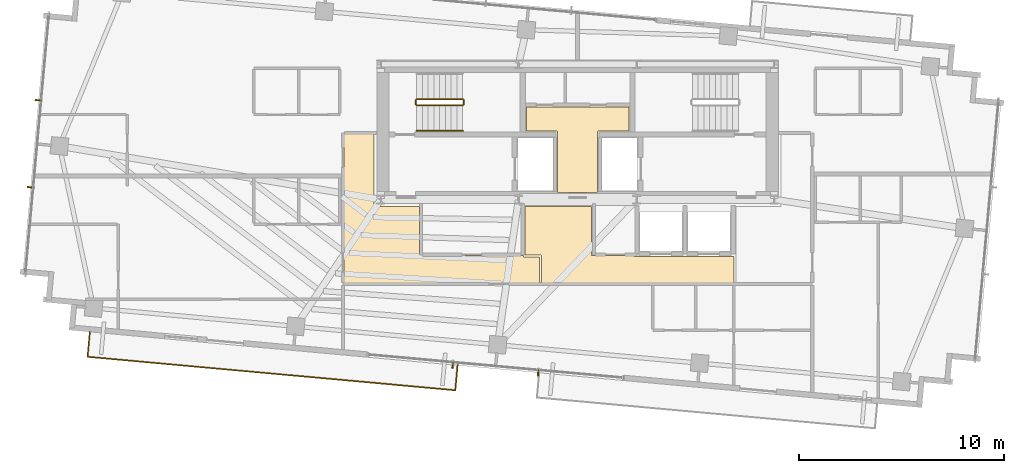
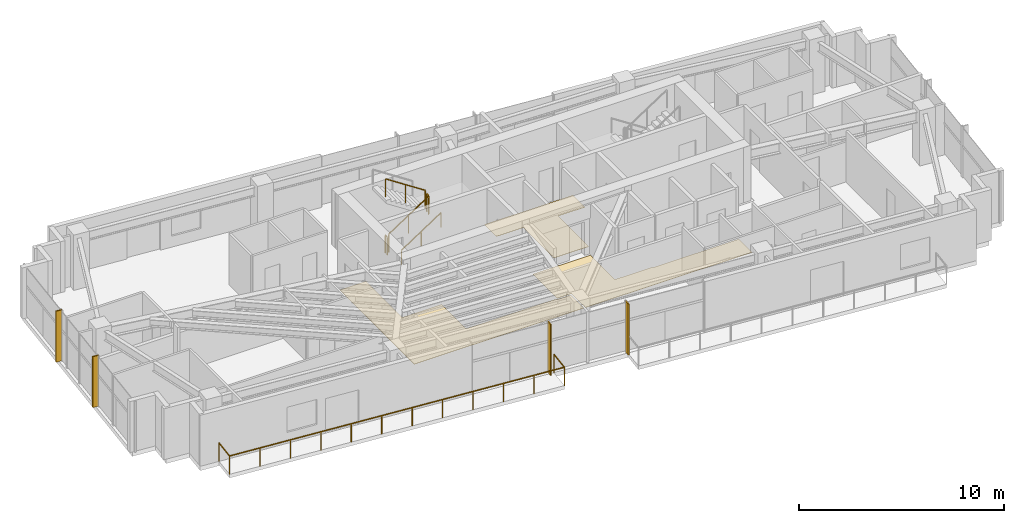
# One storey, part 20 of 22: 6 railings, 4 shading devices, 3 coverings.
"""IFC4 building model written with IfcOpenShell, lengths in metres."""

from ifc_helpers import new_model, si_unit, direction, frame, origin, origin_2d, place, context, subcontext, project, spatial, polyline, rectangle, outline, extrude, source, transform, mapped, material, layer, layer_set, type_object, type_shapes, element, save


model = new_model("IFC4")

# Units and contexts
model_context = context("Model", 3, precision=1e-05, world=origin(), true_north=direction((0.0, 1.0)))
body_context = subcontext(model_context, "Body", "Model", "MODEL_VIEW")
ifc_project = project(units=[si_unit("LENGTHUNIT", "METRE"), si_unit("AREAUNIT", "SQUARE_METRE"), si_unit("VOLUMEUNIT", "CUBIC_METRE"), si_unit("PLANEANGLEUNIT", "RADIAN"), si_unit("MASSUNIT", "GRAM", prefix="KILO")], contexts=[model_context])

# Site, building, storey
site_placement = place(None, origin())
site = spatial("IfcSite", under=ifc_project, at=site_placement, CompositionType="ELEMENT")
building_placement = place(site_placement, origin())
building = spatial("IfcBuilding", under=site, at=building_placement, Name="Astriad Promenade Condominiums", CompositionType="ELEMENT")
storey_placement = place(building_placement, frame((0.0, 0.0, 249.60009765625)))
storey = spatial("IfcBuildingStorey", under=building, at=storey_placement, Name="L72", CompositionType="ELEMENT", Elevation=249.60009765625)

# Coverings
ifc_material_1 = material(Name="Polished Lakefront Terrazzo Flooring")
ifc_layer = layer(ifc_material_1, 0.02001953125)
ifc_layer_set = layer_set([ifc_layer], Name="Polished Lakefront Terrazzo Flooring")
covering_type = type_object("IfcCoveringType", Name="COV-FLOR-TERRAZZO-20", PredefinedType="FLOORING", material=ifc_layer_set)
covering_1_placement = place(storey_placement, origin())
element("IfcCovering", 1, at=covering_1_placement, inside=storey, type_object=covering_type, Name="FLR-L72-CSL", PredefinedType="FLOORING", context=body_context, shape_type="SweptSolid", body=[
    extrude(outline(polyline([(36.97998046875, 20.699951171875), (36.97998046875, 17.739990234375), (35.02001953125, 17.739990234375), (35.02001953125, 20.699951171875), (35.019775390625, 20.703857421875), (35.019287109375, 20.707763671875), (35.018310546875, 20.711669921875), (35.01708984375, 20.71533203125), (35.015380859375, 20.718994140625), (35.01318359375, 20.72216796875), (35.010986328125, 20.725341796875), (35.00830078125, 20.728271484375), (35.00537109375, 20.73095703125), (35.002197265625, 20.7333984375), (34.998779296875, 20.7353515625), (34.995361328125, 20.737060546875), (34.99169921875, 20.73828125), (34.98779296875, 20.7392578125), (34.98388671875, 20.73974609375), (34.97998046875, 20.739990234375), (33.5, 20.739990234375), (33.5, 21.909912109375), (38.5, 21.909912109375), (38.5, 20.739990234375), (37.02001953125, 20.739990234375), (37.01611328125, 20.73974609375), (37.01220703125, 20.7392578125), (37.00830078125, 20.73828125), (37.004638671875, 20.737060546875), (37.001220703125, 20.7353515625), (36.997802734375, 20.7333984375), (36.99462890625, 20.73095703125), (36.99169921875, 20.728271484375), (36.989013671875, 20.725341796875), (36.98681640625, 20.72216796875), (36.984619140625, 20.718994140625), (36.98291015625, 20.71533203125), (36.981689453125, 20.711669921875), (36.980712890625, 20.707763671875), (36.980224609375, 20.703857421875), (36.97998046875, 20.699951171875)])), origin(), (0.0, 0.0, 1.0), 0.02001953125),
])
covering_2_placement = place(storey_placement, origin())
element("IfcCovering", 2, at=covering_2_placement, inside=storey, type_object=covering_type, Name="FLR-L72-LLB", PredefinedType="FLOORING", context=body_context, shape_type="SweptSolid", body=[
    extrude(outline(polyline([(43.639892578125, 14.610107421875), (43.639892578125, 13.320068359375), (34.239990234375, 13.320068359375), (34.239990234375, 14.64990234375), (34.23974609375, 14.65380859375), (34.2392578125, 14.65771484375), (34.23828125, 14.66162109375), (34.237060546875, 14.665283203125), (34.2353515625, 14.6689453125), (34.2333984375, 14.672119140625), (34.23095703125, 14.67529296875), (34.228271484375, 14.67822265625), (34.225341796875, 14.680908203125), (34.22216796875, 14.683349609375), (34.218994140625, 14.685302734375), (34.21533203125, 14.68701171875), (34.211669921875, 14.688232421875), (34.207763671875, 14.689208984375), (34.203857421875, 14.689697265625), (34.199951171875, 14.68994140625), (33.43994140625, 14.68994140625), (33.43994140625, 17.06005859375), (36.679931640625, 17.06005859375), (36.679931640625, 14.699951171875), (36.68017578125, 14.696044921875), (36.680908203125, 14.692138671875), (36.681640625, 14.6884765625), (36.68310546875, 14.684814453125), (36.684814453125, 14.68115234375), (36.686767578125, 14.677734375), (36.689208984375, 14.674560546875), (36.691650390625, 14.671630859375), (36.694580078125, 14.669189453125), (36.69775390625, 14.666748046875), (36.701171875, 14.664794921875), (36.70458984375, 14.6630859375), (36.70849609375, 14.66162109375), (36.712158203125, 14.660888671875), (36.716064453125, 14.66015625), (36.719970703125, 14.659912109375), (38.760009765625, 14.659912109375), (38.760009765625, 14.64990234375), (38.76025390625, 14.64599609375), (38.7607421875, 14.64208984375), (38.76171875, 14.638427734375), (38.762939453125, 14.634765625), (38.7646484375, 14.631103515625), (38.7666015625, 14.627685546875), (38.76904296875, 14.62451171875), (38.771728515625, 14.62158203125), (38.774658203125, 14.619140625), (38.77783203125, 14.61669921875), (38.781005859375, 14.61474609375), (38.78466796875, 14.613037109375), (38.788330078125, 14.61181640625), (38.792236328125, 14.61083984375), (38.796142578125, 14.610107421875), (38.800048828125, 14.610107421875), (43.639892578125, 14.610107421875)])), origin(), (0.0, 0.0, 1.0), 0.02001953125),
])
covering_3_placement = place(storey_placement, origin())
element("IfcCovering", 3, at=covering_3_placement, inside=storey, type_object=covering_type, Name="FLR-L72-COR-1", PredefinedType="FLOORING", context=body_context, shape_type="SweptSolid", body=[
    extrude(outline(polyline([(24.590087890625, 20.610107421875), (26.06005859375, 20.610107421875), (26.06005859375, 17.10009765625), (26.060302734375, 17.09619140625), (26.060791015625, 17.09228515625), (26.061767578125, 17.08837890625), (26.06298828125, 17.084716796875), (26.064697265625, 17.0810546875), (26.066650390625, 17.077880859375), (26.069091796875, 17.07470703125), (26.07177734375, 17.07177734375), (26.07470703125, 17.069091796875), (26.077880859375, 17.066650390625), (26.0810546875, 17.064697265625), (26.084716796875, 17.06298828125), (26.08837890625, 17.061767578125), (26.09228515625, 17.060791015625), (26.09619140625, 17.060302734375), (26.10009765625, 17.06005859375), (28.280029296875, 17.06005859375), (28.280029296875, 14.699951171875), (28.2802734375, 14.696044921875), (28.28076171875, 14.692138671875), (28.28173828125, 14.6884765625), (28.282958984375, 14.684814453125), (28.28466796875, 14.68115234375), (28.28662109375, 14.677734375), (28.2890625, 14.674560546875), (28.291748046875, 14.671630859375), (28.294677734375, 14.669189453125), (28.2978515625, 14.666748046875), (28.301025390625, 14.664794921875), (28.3046875, 14.6630859375), (28.308349609375, 14.66162109375), (28.312255859375, 14.660888671875), (28.316162109375, 14.66015625), (28.320068359375, 14.659912109375), (33.35009765625, 14.659912109375), (33.35009765625, 14.64892578125), (33.35009765625, 14.64501953125), (33.350830078125, 14.64111328125), (33.35107421875, 14.64013671875), (33.351318359375, 14.639404296875), (33.351318359375, 14.638427734375), (33.352294921875, 14.634521484375), (33.353759765625, 14.630859375), (33.3544921875, 14.629150390625), (33.356201171875, 14.6259765625), (33.356689453125, 14.625), (33.35888671875, 14.62158203125), (33.3603515625, 14.61962890625), (33.36083984375, 14.618896484375), (33.361083984375, 14.61865234375), (33.361328125, 14.618408203125), (33.361572265625, 14.617919921875), (33.36328125, 14.615966796875), (33.365966796875, 14.61328125), (33.367919921875, 14.611572265625), (33.368408203125, 14.611328125), (33.36865234375, 14.611083984375), (33.368896484375, 14.61083984375), (33.36962890625, 14.6103515625), (33.37158203125, 14.60888671875), (33.375, 14.606689453125), (33.3759765625, 14.606201171875), (33.379150390625, 14.6044921875), (33.3798828125, 14.604248046875), (33.380859375, 14.603759765625), (33.384521484375, 14.602294921875), (33.388427734375, 14.601318359375), (33.389404296875, 14.601318359375), (33.39013671875, 14.60107421875), (33.39111328125, 14.600830078125), (33.39501953125, 14.60009765625), (33.39892578125, 14.60009765625), (34.14990234375, 14.60009765625), (34.14990234375, 13.320068359375), (24.590087890625, 13.320068359375), (24.590087890625, 20.610107421875)])), origin(), (0.0, 0.0, 1.0), 0.02001953125),
])

# Shading devices
ifc_material_2 = material(Name="Anodised aluminium 6063-T6 Black Fin", Category="aluminium")
shading_device_type = type_object("IfcShadingDeviceType", Name="FIN-BLACK-260", PredefinedType="USERDEFINED", material=ifc_material_2)
shared_shape_1 = source(origin(), body_context, "Body", "SweptSolid", [
    extrude(rectangle(XDim=0.06494140625, YDim=0.320068359375, at=origin_2d()), origin(), (0.0, 0.0, 1.0), 3.0400390625),
])
type_shapes(shading_device_type, [shared_shape_1])
for number, where, z_axis, x_axis, name in (
    (4, (9.293212890625, 17.9970703125, 0.0), (0.0, 0.0, 1.0), (0.090632580198, 0.995884398616, 0.0), "CW-L72-W-FIN-01"),
    (5, (9.6796875, 22.246337890625, 0.0), (0.0, 0.0, 1.0), (0.090632580198, 0.995884398616, 0.0), "CW-L72-W-FIN-02"),
    (6, (34.073974609375, 8.937255859375, 0.0), (0.0, 0.0, 1.0), (-0.995884398616, 0.090632580198, 0.0), "CW-L72-S-FIN-01"),
    (7, (29.9111328125, 9.316162109375, 0.0), (0.0, 0.0, 1.0), (-0.995884398616, 0.090632580198, 0.0), "CW-L72-S-FIN-02"),
):
    element("IfcShadingDevice", number, at=place(storey_placement, frame(where, z_axis=z_axis, x_axis=x_axis)), inside=storey, type_object=shading_device_type, Name=name, ObjectType="FIN", PredefinedType="USERDEFINED", context=body_context, shape_type="MappedRepresentation", body=[
        mapped(shared_shape_1, transform((0.0, 0.0, 0.0), scale=1.0)),
    ])

# Railings
ifc_material_3 = material(Name="Laminated Glass and Stainless Steel Balustrade", Category="steel")
railing_type_1 = type_object("IfcRailingType", Name="GRD-BALC-1120", PredefinedType="BALUSTRADE", material=ifc_material_3)
shared_shape_2 = source(origin(), body_context, "Body", "SweptSolid", [
    extrude(rectangle(XDim=0.048095703125, YDim=0.048095703125, at=origin_2d()), frame((0.0, 0.0, 1.09619140625), z_axis=(-0.090643994769, -0.995883359743, 0.0), x_axis=(0.995883359743, -0.090643994769, 0.0)), (0.0, 0.0, 1.0), 1.22021484375),
    extrude(rectangle(XDim=0.048095703125, YDim=0.048095703125, at=origin_2d()), frame((-0.110595703125, -1.215087890625, 1.09619140625), z_axis=(0.995884986863, -0.090626116217, 0.0), x_axis=(0.090626116217, 0.995884986863, 0.0)), (0.0, 0.0, 1.0), 18.025146484375),
    extrude(rectangle(XDim=0.048095703125, YDim=0.048095703125, at=origin_2d()), frame((17.84033203125, -2.8486328125, 1.09619140625), z_axis=(0.09066206129, 0.995881715186, 0.0), x_axis=(-0.995881715186, 0.09066206129, 0.0)), (0.0, 0.0, 1.0), 1.219970703125),
    extrude(rectangle(XDim=0.0419921875, YDim=0.0419921875, at=origin_2d()), origin(), (0.0, 0.0, 1.0), 1.072021484375),
    extrude(rectangle(XDim=0.0419921875, YDim=0.0419921875, at=origin_2d()), frame((-0.110595703125, -1.215087890625, 0.0)), (0.0, 0.0, 1.0), 1.072021484375),
    extrude(rectangle(XDim=0.0419921875, YDim=0.0419921875, at=origin_2d()), frame((1.521240234375, -1.363525390625, 0.0)), (0.0, 0.0, 1.0), 1.072021484375),
    extrude(rectangle(XDim=0.0419921875, YDim=0.0419921875, at=origin_2d()), frame((3.1533203125, -1.51220703125, 0.0)), (0.0, 0.0, 1.0), 1.072021484375),
    extrude(rectangle(XDim=0.0419921875, YDim=0.0419921875, at=origin_2d()), frame((4.78515625, -1.66064453125, 0.0)), (0.0, 0.0, 1.0), 1.072021484375),
    extrude(rectangle(XDim=0.0419921875, YDim=0.0419921875, at=origin_2d()), frame((6.4169921875, -1.80908203125, 0.0)), (0.0, 0.0, 1.0), 1.072021484375),
    extrude(rectangle(XDim=0.0419921875, YDim=0.0419921875, at=origin_2d()), frame((8.048828125, -1.95751953125, 0.0)), (0.0, 0.0, 1.0), 1.072021484375),
    extrude(rectangle(XDim=0.0419921875, YDim=0.0419921875, at=origin_2d()), frame((9.680908203125, -2.106201171875, 0.0)), (0.0, 0.0, 1.0), 1.072021484375),
    extrude(rectangle(XDim=0.0419921875, YDim=0.0419921875, at=origin_2d()), frame((11.312744140625, -2.254638671875, 0.0)), (0.0, 0.0, 1.0), 1.072021484375),
    extrude(rectangle(XDim=0.0419921875, YDim=0.0419921875, at=origin_2d()), frame((12.944580078125, -2.403076171875, 0.0)), (0.0, 0.0, 1.0), 1.072021484375),
    extrude(rectangle(XDim=0.0419921875, YDim=0.0419921875, at=origin_2d()), frame((14.576416015625, -2.551513671875, 0.0)), (0.0, 0.0, 1.0), 1.072021484375),
    extrude(rectangle(XDim=0.0419921875, YDim=0.0419921875, at=origin_2d()), frame((16.20849609375, -2.7001953125, 0.0)), (0.0, 0.0, 1.0), 1.072021484375),
    extrude(rectangle(XDim=0.0419921875, YDim=0.0419921875, at=origin_2d()), frame((17.84033203125, -2.8486328125, 0.0)), (0.0, 0.0, 1.0), 1.072021484375),
    extrude(rectangle(XDim=0.0419921875, YDim=0.0419921875, at=origin_2d()), frame((17.950927734375, -1.6337890625, 0.0)), (0.0, 0.0, 1.0), 1.072021484375),
])
type_shapes(railing_type_1, [shared_shape_2])
railing_1_placement = place(storey_placement, frame((12.194091796875, 10.9384765625, 0.0)))
element("IfcRailing", 8, at=railing_1_placement, inside=storey, type_object=railing_type_1, Name="GRD-BALC-L72-SW", PredefinedType="BALUSTRADE", context=body_context, shape_type="MappedRepresentation", body=[
    mapped(shared_shape_2, transform((0.0, 0.0, 0.0), scale=1.0)),
])
ifc_material_4 = material(Name="Painted Galvanised Steel Guardrail", Category="steel")
railing_type_2 = type_object("IfcRailingType", Name="GRD-STAIR-1100", PredefinedType="GUARDRAIL", material=ifc_material_4)
shared_shape_3 = source(origin(), body_context, "Body", "SweptSolid", [
    extrude(rectangle(XDim=0.048095703125, YDim=0.048095703125, at=origin_2d()), frame((0.0, 0.0, 1.076171875), z_axis=(0.0, 1.0, 0.0), x_axis=(-1.0, 0.0, 0.0)), (0.0, 0.0, 1.0), 0.199951171875),
    extrude(rectangle(XDim=0.0419921875, YDim=0.0419921875, at=origin_2d()), origin(), (0.0, 0.0, 1.0), 1.052001953125),
    extrude(rectangle(XDim=0.0419921875, YDim=0.0419921875, at=origin_2d()), frame((0.0, 0.199951171875, 0.0)), (0.0, 0.0, 1.0), 1.052001953125),
])
for number, where, name in (
    (9, (30.43994140625, 22.050048828125, 1.64990234375), "L72 ST-1 stair guard 2"),
    (10, (28.10009765625, 22.050048828125, 0.0), "L72 ST-1 stair guard 4"),
):
    element("IfcRailing", number, at=place(storey_placement, frame(where)), inside=storey, type_object=railing_type_2, Name=name, PredefinedType="GUARDRAIL", context=body_context, shape_type="MappedRepresentation", body=[
        mapped(shared_shape_3, transform((0.0, 0.0, 0.0), scale=1.0)),
    ])
shared_shape_4 = source(origin(), body_context, "Body", "SweptSolid", [
    extrude(rectangle(XDim=0.048095703125, YDim=0.048095703125, at=origin_2d()), frame((0.0, 0.0, 1.076171875), z_axis=(0.836636935527, 0.0, 0.547757827979), x_axis=(0.0, 1.0, 0.0)), (0.0, 0.0, 1.0), 2.677490234375),
    extrude(rectangle(XDim=0.0419921875, YDim=0.0419921875, at=origin_2d()), origin(), (0.0, 0.0, 1.0), 1.052001953125),
    extrude(rectangle(XDim=0.0419921875, YDim=0.0419921875, at=origin_2d()), frame((1.1201171875, 0.0, 0.7333984375)), (0.0, 0.0, 1.0), 1.052001953125),
    extrude(rectangle(XDim=0.0419921875, YDim=0.0419921875, at=origin_2d()), frame((2.239990234375, 0.0, 1.466552734375)), (0.0, 0.0, 1.0), 1.052001953125),
])
railing_2_placement = place(storey_placement, frame((28.14990234375, 22.0, 0.183349609375)))
element("IfcRailing", 11, at=railing_2_placement, inside=storey, type_object=railing_type_2, Name="L72 ST-1 stair guard 1", PredefinedType="GUARDRAIL", context=body_context, shape_type="MappedRepresentation", body=[
    mapped(shared_shape_4, transform((0.0, 0.0, 0.0), scale=1.0)),
])
shared_shape_5 = source(origin(), body_context, "Body", "SweptSolid", [
    extrude(rectangle(XDim=0.048095703125, YDim=0.048095703125, at=origin_2d()), frame((0.0, 0.0, 1.076171875), z_axis=(-0.836636935527, 0.0, 0.547757827979), x_axis=(0.0, -1.0, 0.0)), (0.0, 0.0, 1.0), 2.677490234375),
    extrude(rectangle(XDim=0.0419921875, YDim=0.0419921875, at=origin_2d()), origin(), (0.0, 0.0, 1.0), 1.052001953125),
    extrude(rectangle(XDim=0.0419921875, YDim=0.0419921875, at=origin_2d()), frame((-1.1201171875, 0.0, 0.7333984375)), (0.0, 0.0, 1.0), 1.052001953125),
    extrude(rectangle(XDim=0.0419921875, YDim=0.0419921875, at=origin_2d()), frame((-2.239990234375, 0.0, 1.466552734375)), (0.0, 0.0, 1.0), 1.052001953125),
])
type_shapes(railing_type_2, [shared_shape_3, shared_shape_4, shared_shape_5])
railing_3_placement = place(storey_placement, frame((30.389892578125, 22.300048828125, 1.833251953125)))
element("IfcRailing", 12, at=railing_3_placement, inside=storey, type_object=railing_type_2, Name="L72 ST-1 stair guard 3", PredefinedType="GUARDRAIL", context=body_context, shape_type="MappedRepresentation", body=[
    mapped(shared_shape_5, transform((0.0, 0.0, 0.0), scale=1.0)),
])
ifc_material_5 = material(Name="Brushed Stainless Steel Handrail", Category="steel")
railing_type_3 = type_object("IfcRailingType", Name="HRL-STAIR-920", PredefinedType="HANDRAIL", material=ifc_material_5)
shared_shape_6 = source(origin(), body_context, "Body", "SweptSolid", [
    extrude(rectangle(XDim=0.048095703125, YDim=0.048095703125, at=origin_2d()), frame((0.0, 0.0, 0.8759765625), z_axis=(0.836636935527, 0.0, 0.547757827979), x_axis=(0.0, 1.0, 0.0)), (0.0, 0.0, 1.0), 2.677490234375),
    extrude(rectangle(XDim=0.0419921875, YDim=0.0419921875, at=origin_2d()), origin(), (0.0, 0.0, 1.0), 0.851806640625),
    extrude(rectangle(XDim=0.0419921875, YDim=0.0419921875, at=origin_2d()), frame((1.1201171875, 0.0, 0.7333984375)), (0.0, 0.0, 1.0), 0.851806640625),
    extrude(rectangle(XDim=0.0419921875, YDim=0.0419921875, at=origin_2d()), frame((2.239990234375, 0.0, 1.466552734375)), (0.0, 0.0, 1.0), 0.851806640625),
])
type_shapes(railing_type_3, [shared_shape_6])
railing_4_placement = place(storey_placement, frame((28.14990234375, 20.75, 0.183349609375)))
element("IfcRailing", 13, at=railing_4_placement, inside=storey, type_object=railing_type_3, Name="L72 ST-1 stair handrail 1", PredefinedType="HANDRAIL", context=body_context, shape_type="MappedRepresentation", body=[
    mapped(shared_shape_6, transform((0.0, 0.0, 0.0), scale=1.0)),
])

save(model, "model.ifc")
